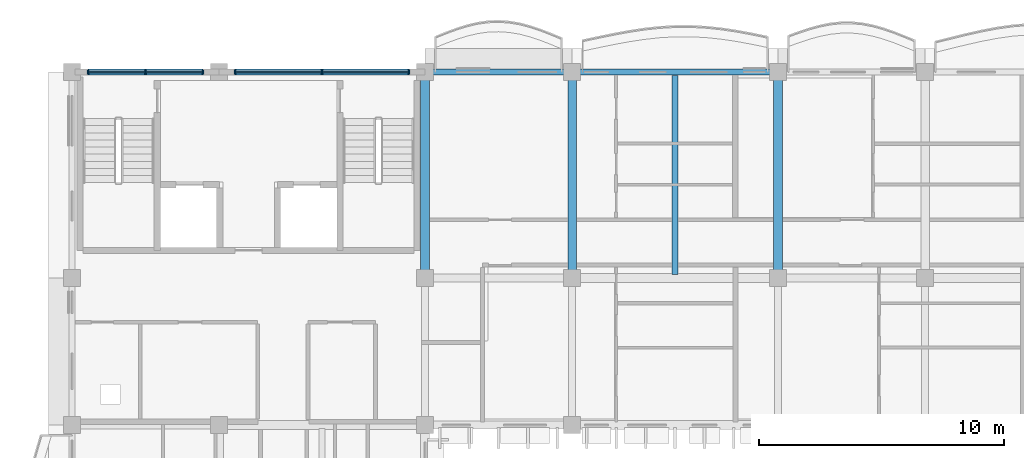
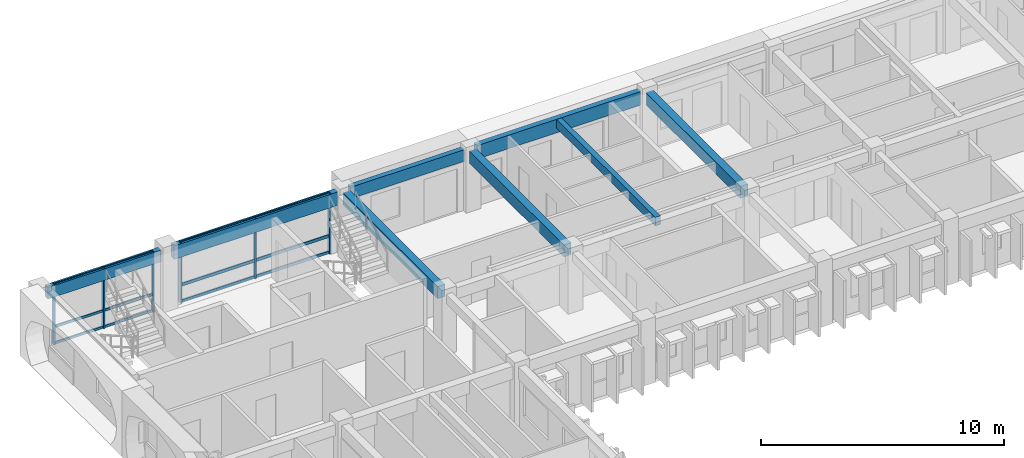
# One storey, part 22 of 101: 12 members, 8 beams, 2 elements without a shape of their own.
"""IFC4 building model written with IfcOpenShell, lengths in metres."""

from ifc_helpers import new_model, si_unit, direction, frame, origin, origin_2d, place, context, subcontext, project, spatial, rectangle, extrude, material, material_profile, profile_set, type_object, element, aggregate, save


model = new_model("IFC4")

# Units and contexts
model_context = context("Model", 3, precision=1e-05, world=origin(), true_north=direction((0.0, 1.0)))
body_context = subcontext(model_context, "Body", "Model", "MODEL_VIEW")
ifc_project = project(units=[si_unit("LENGTHUNIT", "METRE"), si_unit("AREAUNIT", "SQUARE_METRE"), si_unit("VOLUMEUNIT", "CUBIC_METRE"), si_unit("PLANEANGLEUNIT", "RADIAN"), si_unit("MASSUNIT", "GRAM", prefix="KILO"), si_unit("THERMODYNAMICTEMPERATUREUNIT", "KELVIN")], contexts=[model_context])

# Site, building, storey
site_placement = place(None, origin())
site = spatial("IfcSite", under=ifc_project, at=site_placement, CompositionType="ELEMENT")
building_placement = place(site_placement, origin())
building = spatial("IfcBuilding", under=site, at=building_placement, Name="Thalorik Housing Commons", CompositionType="ELEMENT")
storey_placement = place(building_placement, frame((0.0, 0.0, 8.10009765625)))
storey = spatial("IfcBuildingStorey", under=building, at=storey_placement, Name="L02", CompositionType="ELEMENT", Elevation=8.10009765625)

# Curtain wall, members
ifc_material_1 = material(Name="Anodised aluminium and solar-control low-E glass", Category="aluminium")
curtain_wall_type = type_object("IfcCurtainWallType", Name="ARC-CW-CORE", PredefinedType="USERDEFINED", material=ifc_material_1)
curtain_wall_1_placement = place(storey_placement, origin())
curtain_wall_1 = element("IfcCurtainWall", 1, at=curtain_wall_1_placement, inside=storey, type_object=curtain_wall_type, Name="L02 Curtain Wall CW-CORE-L02-A-010", ObjectType="CURTAIN WALL", PredefinedType="USERDEFINED")
ifc_material_2 = material(Name="Anodised aluminium 6063-T6", Category="aluminium")
ifc_material_profile_1 = material_profile(ifc_material_2, rectangle(XDim=0.06005859375, YDim=0.159912109375, at=origin_2d()), Name="ALU MUL 60x160", Category="aluminium")
ifc_profile_set_1 = profile_set([ifc_material_profile_1], Name="Anodised aluminium 6063-T6")
member_type_1 = type_object("IfcMemberType", Name="ARC-CW-MUL-60x160", PredefinedType="MULLION", material=ifc_profile_set_1)
member_1_placement = place(storey_placement, frame((13.75, 123.60009765625, 0.0), z_axis=(0.0, 0.0, 1.0), x_axis=(-1.0, 0.0, 0.0)))
member_1 = element("IfcMember", 2, at=member_1_placement, type_object=member_type_1, Name="CW-CORE-L02-A-010 Mullion 1", PredefinedType="MULLION", context=body_context, shape_type="SweptSolid", body=[
    extrude(rectangle(XDim=0.06005859375, YDim=0.159912109375, at=origin_2d()), origin(), (0.0, 0.0, 1.0), 3.039794921875),
])
member_2_placement = place(storey_placement, frame((11.39990234375, 123.60009765625, 0.0), z_axis=(0.0, 0.0, 1.0), x_axis=(-1.0, 0.0, 0.0)))
member_2 = element("IfcMember", 3, at=member_2_placement, type_object=member_type_1, Name="CW-CORE-L02-A-010 Mullion 2", PredefinedType="MULLION", context=body_context, shape_type="SweptSolid", body=[
    extrude(rectangle(XDim=0.06005859375, YDim=0.159912109375, at=origin_2d()), origin(), (0.0, 0.0, 1.0), 3.039794921875),
])
member_3_placement = place(storey_placement, frame((9.050048828125, 123.60009765625, 0.0), z_axis=(0.0, 0.0, 1.0), x_axis=(-1.0, 0.0, 0.0)))
member_3 = element("IfcMember", 4, at=member_3_placement, type_object=member_type_1, Name="CW-CORE-L02-A-010 Mullion 3", PredefinedType="MULLION", context=body_context, shape_type="SweptSolid", body=[
    extrude(rectangle(XDim=0.06005859375, YDim=0.159912109375, at=origin_2d()), origin(), (0.0, 0.0, 1.0), 3.039794921875),
])

curtain_wall_2_placement = place(storey_placement, origin())
curtain_wall_2 = element("IfcCurtainWall", 5, at=curtain_wall_2_placement, inside=storey, type_object=curtain_wall_type, Name="L02 Curtain Wall CW-CORE-L02-A-009", ObjectType="CURTAIN WALL", PredefinedType="USERDEFINED")
ifc_material_profile_2 = material_profile(ifc_material_2, rectangle(XDim=0.06494140625, YDim=0.179931640625, at=origin_2d()), Name="ALU MUL 65x180", Category="aluminium")
ifc_profile_set_2 = profile_set([ifc_material_profile_2], Name="Anodised aluminium 6063-T6")
member_type_2 = type_object("IfcMemberType", Name="ARC-CW-MUL-65x180", PredefinedType="MULLION", material=ifc_profile_set_2)
member_4_placement = place(storey_placement, frame((22.14990234375, 123.60009765625, 0.0), z_axis=(0.0, 0.0, 1.0), x_axis=(-1.0, 0.0, 0.0)))
member_4 = element("IfcMember", 6, at=member_4_placement, type_object=member_type_2, Name="CW-CORE-L02-A-009 Mullion 1", PredefinedType="MULLION", context=body_context, shape_type="SweptSolid", body=[
    extrude(rectangle(XDim=0.06494140625, YDim=0.179931640625, at=origin_2d()), origin(), (0.0, 0.0, 1.0), 3.039794921875),
])
member_5_placement = place(storey_placement, frame((18.60009765625, 123.60009765625, 0.0), z_axis=(0.0, 0.0, 1.0), x_axis=(-1.0, 0.0, 0.0)))
member_5 = element("IfcMember", 7, at=member_5_placement, type_object=member_type_2, Name="CW-CORE-L02-A-009 Mullion 2", PredefinedType="MULLION", context=body_context, shape_type="SweptSolid", body=[
    extrude(rectangle(XDim=0.06494140625, YDim=0.179931640625, at=origin_2d()), origin(), (0.0, 0.0, 1.0), 3.039794921875),
])
member_6_placement = place(storey_placement, frame((15.050048828125, 123.60009765625, 0.0), z_axis=(0.0, 0.0, 1.0), x_axis=(-1.0, 0.0, 0.0)))
member_6 = element("IfcMember", 8, at=member_6_placement, type_object=member_type_2, Name="CW-CORE-L02-A-009 Mullion 3", PredefinedType="MULLION", context=body_context, shape_type="SweptSolid", body=[
    extrude(rectangle(XDim=0.06494140625, YDim=0.179931640625, at=origin_2d()), origin(), (0.0, 0.0, 1.0), 3.039794921875),
])

# Member
ifc_material_profile_3 = material_profile(ifc_material_2, rectangle(XDim=0.06005859375, YDim=0.1201171875, at=origin_2d()), Name="ALU TRN 60x120", Category="aluminium")
ifc_profile_set_3 = profile_set([ifc_material_profile_3], Name="Anodised aluminium 6063-T6")
member_type_3 = type_object("IfcMemberType", Name="ARC-CW-TRN-60x120", PredefinedType="USERDEFINED", material=ifc_profile_set_3)
member_7_placement = place(storey_placement, frame((13.75, 123.60009765625, 0.054931640625), z_axis=(-1.0, 0.0, 0.0), x_axis=(0.0, -1.0, 0.0)))
member_7 = element("IfcMember", 9, at=member_7_placement, type_object=member_type_3, Name="CW-CORE-L02-A-010 Transom 1", ObjectType="TRANSOM", PredefinedType="USERDEFINED", context=body_context, shape_type="SweptSolid", body=[
    extrude(rectangle(XDim=0.06005859375, YDim=0.1201171875, at=origin_2d()), origin(), (0.0, 0.0, 1.0), 4.699951171875),
])

member_8_placement = place(storey_placement, frame((13.75, 123.60009765625, 0.8798828125), z_axis=(-1.0, 0.0, 0.0), x_axis=(0.0, -1.0, 0.0)))
member_8 = element("IfcMember", 10, at=member_8_placement, type_object=member_type_3, Name="CW-CORE-L02-A-010 Transom 2", ObjectType="TRANSOM", PredefinedType="USERDEFINED", context=body_context, shape_type="SweptSolid", body=[
    extrude(rectangle(XDim=0.06005859375, YDim=0.1201171875, at=origin_2d()), origin(), (0.0, 0.0, 1.0), 4.699951171875),
])

member_9_placement = place(storey_placement, frame((13.75, 123.60009765625, 2.98486328125), z_axis=(-1.0, 0.0, 0.0), x_axis=(0.0, -1.0, 0.0)))
member_9 = element("IfcMember", 11, at=member_9_placement, type_object=member_type_3, Name="CW-CORE-L02-A-010 Transom 3", ObjectType="TRANSOM", PredefinedType="USERDEFINED", context=body_context, shape_type="SweptSolid", body=[
    extrude(rectangle(XDim=0.06005859375, YDim=0.1201171875, at=origin_2d()), origin(), (0.0, 0.0, 1.0), 4.699951171875),
])

aggregate(curtain_wall_1, [member_1, member_2, member_3, member_7, member_8, member_9])

ifc_material_profile_4 = material_profile(ifc_material_2, rectangle(XDim=0.06494140625, YDim=0.14990234375, at=origin_2d()), Name="ALU TRN 65x150", Category="aluminium")
ifc_profile_set_4 = profile_set([ifc_material_profile_4], Name="Anodised aluminium 6063-T6")
member_type_4 = type_object("IfcMemberType", Name="ARC-CW-TRN-65x150", PredefinedType="USERDEFINED", material=ifc_profile_set_4)
member_10_placement = place(storey_placement, frame((22.14990234375, 123.60009765625, 0.054931640625), z_axis=(-1.0, 0.0, 0.0), x_axis=(0.0, -1.0, 0.0)))
member_10 = element("IfcMember", 12, at=member_10_placement, type_object=member_type_4, Name="CW-CORE-L02-A-009 Transom 1", ObjectType="TRANSOM", PredefinedType="USERDEFINED", context=body_context, shape_type="SweptSolid", body=[
    extrude(rectangle(XDim=0.06494140625, YDim=0.14990234375, at=origin_2d()), origin(), (0.0, 0.0, 1.0), 7.099853515625),
])

member_11_placement = place(storey_placement, frame((22.14990234375, 123.60009765625, 0.8798828125), z_axis=(-1.0, 0.0, 0.0), x_axis=(0.0, -1.0, 0.0)))
member_11 = element("IfcMember", 13, at=member_11_placement, type_object=member_type_4, Name="CW-CORE-L02-A-009 Transom 2", ObjectType="TRANSOM", PredefinedType="USERDEFINED", context=body_context, shape_type="SweptSolid", body=[
    extrude(rectangle(XDim=0.06494140625, YDim=0.14990234375, at=origin_2d()), origin(), (0.0, 0.0, 1.0), 7.099853515625),
])

member_12_placement = place(storey_placement, frame((22.14990234375, 123.60009765625, 2.98486328125), z_axis=(-1.0, 0.0, 0.0), x_axis=(0.0, -1.0, 0.0)))
member_12 = element("IfcMember", 14, at=member_12_placement, type_object=member_type_4, Name="CW-CORE-L02-A-009 Transom 3", ObjectType="TRANSOM", PredefinedType="USERDEFINED", context=body_context, shape_type="SweptSolid", body=[
    extrude(rectangle(XDim=0.06494140625, YDim=0.14990234375, at=origin_2d()), origin(), (0.0, 0.0, 1.0), 7.099853515625),
])

aggregate(curtain_wall_2, [member_4, member_5, member_6, member_10, member_11, member_12])

# Beams
ifc_material_3 = material(Name="Precast concrete C40/50", Category="concrete")
ifc_material_profile_5 = material_profile(ifc_material_3, rectangle(XDim=0.35009765625, YDim=0.60009765625, at=origin_2d()), Name="PC 350x600", Category="concrete")
ifc_profile_set_5 = profile_set([ifc_material_profile_5], Name="Precast concrete C40/50")
beam_type_1 = type_object("IfcBeamType", Name="STR-BM-PC350x600", PredefinedType="BEAM", material=ifc_profile_set_5)
for number, where, z_axis, x_axis, name in (
    (15, (22.800048828125, 115.5, 2.739990234375), (0.0, 1.0, 0.0), (-1.0, 0.0, 0.0), "L02 Beam B-600"),
    (16, (28.800048828125, 115.5, 2.739990234375), (0.0, 1.0, 0.0), (-1.0, 0.0, 0.0), "L02 Beam B-600"),
    (17, (37.199951171875, 115.5, 2.739990234375), (0.0, 1.0, 0.0), (-1.0, 0.0, 0.0), "L02 Beam B-600"),
):
    element("IfcBeam", number, at=place(storey_placement, frame(where, z_axis=z_axis, x_axis=x_axis)), inside=storey, type_object=beam_type_1, Name=name, PredefinedType="BEAM", context=body_context, shape_type="SweptSolid", body=[
        extrude(rectangle(XDim=0.35009765625, YDim=0.60009765625, at=origin_2d()), origin(), (0.0, 0.0, 1.0), 7.800048828125),
    ])
ifc_material_profile_6 = material_profile(ifc_material_3, rectangle(XDim=0.239990234375, YDim=0.43994140625, at=origin_2d()), Name="PC JST 240x440", Category="concrete")
ifc_profile_set_6 = profile_set([ifc_material_profile_6], Name="Precast concrete C40/50")
beam_type_2 = type_object("IfcBeamType", Name="STR-JST-PC240x440", PredefinedType="JOIST", material=ifc_profile_set_6)
beam_1_placement = place(storey_placement, frame((33.0, 115.340087890625, 2.81982421875), z_axis=(0.0, 1.0, 0.0), x_axis=(-1.0, 0.0, 0.0)))
element("IfcBeam", 18, at=beam_1_placement, inside=storey, type_object=beam_type_2, Name="L02 Beam J-440", PredefinedType="JOIST", context=body_context, shape_type="SweptSolid", body=[
    extrude(rectangle(XDim=0.239990234375, YDim=0.43994140625, at=origin_2d()), origin(), (0.0, 0.0, 1.0), 8.119873046875),
])
ifc_material_profile_7 = material_profile(ifc_material_3, rectangle(XDim=0.239990234375, YDim=0.580078125, at=origin_2d()), Name="PC SP 240x580", Category="concrete")
ifc_profile_set_7 = profile_set([ifc_material_profile_7], Name="Precast concrete C40/50")
beam_type_3 = type_object("IfcBeamType", Name="STR-SP-PC240x580", PredefinedType="SPANDREL", material=ifc_profile_set_7)
beam_2_placement = place(storey_placement, frame((8.699951171875, 123.60009765625, 2.75), z_axis=(1.0, 0.0, 0.0), x_axis=(0.0, 1.0, 0.0)))
element("IfcBeam", 19, at=beam_2_placement, inside=storey, type_object=beam_type_3, Name="L02 Beam B-550", PredefinedType="SPANDREL", context=body_context, shape_type="SweptSolid", body=[
    extrude(rectangle(XDim=0.239990234375, YDim=0.580078125, at=origin_2d()), origin(), (0.0, 0.0, 1.0), 5.400146484375),
])
beam_3_placement = place(storey_placement, frame((23.10009765625, 123.60009765625, 2.75), z_axis=(1.0, 0.0, 0.0), x_axis=(0.0, 1.0, 0.0)))
element("IfcBeam", 20, at=beam_3_placement, inside=storey, type_object=beam_type_3, Name="L02 Beam B-550", PredefinedType="SPANDREL", context=body_context, shape_type="SweptSolid", body=[
    extrude(rectangle(XDim=0.239990234375, YDim=0.580078125, at=origin_2d()), origin(), (0.0, 0.0, 1.0), 5.39990234375),
])
ifc_material_profile_8 = material_profile(ifc_material_3, rectangle(XDim=0.260009765625, YDim=0.679931640625, at=origin_2d()), Name="PC SP 260x680", Category="concrete")
ifc_profile_set_8 = profile_set([ifc_material_profile_8], Name="Precast concrete C40/50")
beam_type_4 = type_object("IfcBeamType", Name="STR-SP-PC260x680", PredefinedType="SPANDREL", material=ifc_profile_set_8)
beam_4_placement = place(storey_placement, frame((14.699951171875, 123.60009765625, 2.699951171875), z_axis=(1.0, 0.0, 0.0), x_axis=(0.0, 1.0, 0.0)))
element("IfcBeam", 21, at=beam_4_placement, inside=storey, type_object=beam_type_4, Name="L02 Beam B-650", PredefinedType="SPANDREL", context=body_context, shape_type="SweptSolid", body=[
    extrude(rectangle(XDim=0.260009765625, YDim=0.679931640625, at=origin_2d()), origin(), (0.0, 0.0, 1.0), 7.800048828125),
])
beam_5_placement = place(storey_placement, frame((29.10009765625, 123.60009765625, 2.699951171875), z_axis=(1.0, 0.0, 0.0), x_axis=(0.0, 1.0, 0.0)))
element("IfcBeam", 22, at=beam_5_placement, inside=storey, type_object=beam_type_4, Name="L02 Beam B-650", PredefinedType="SPANDREL", context=body_context, shape_type="SweptSolid", body=[
    extrude(rectangle(XDim=0.260009765625, YDim=0.679931640625, at=origin_2d()), origin(), (0.0, 0.0, 1.0), 7.7998046875),
])

save(model, "model.ifc")
